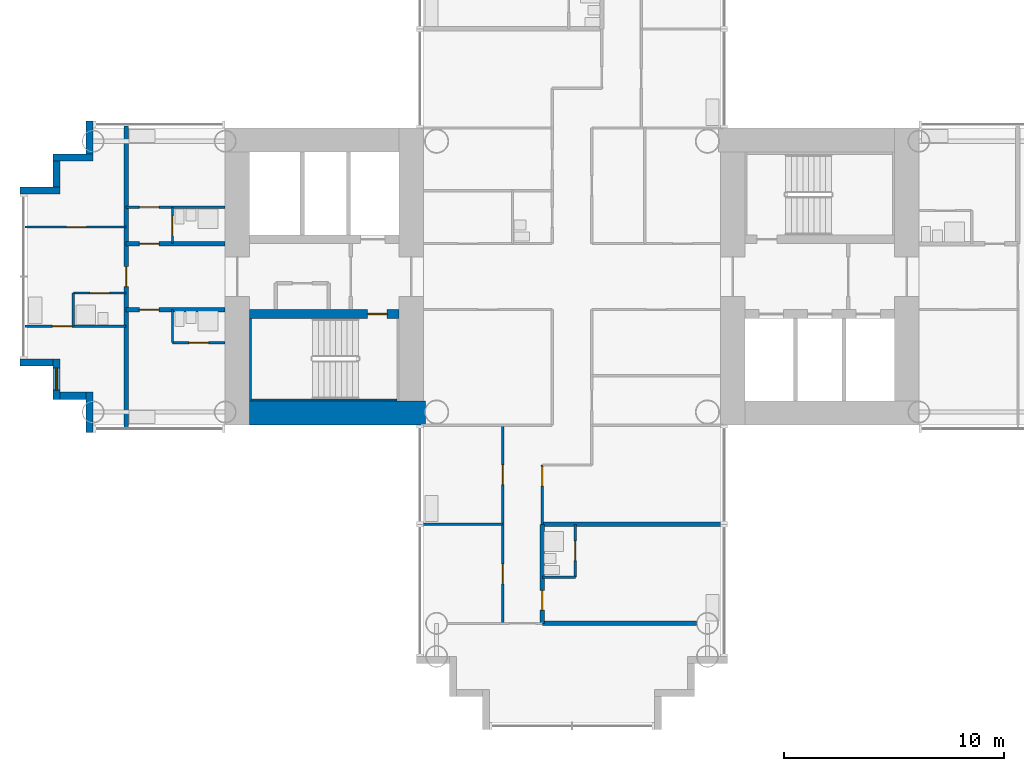
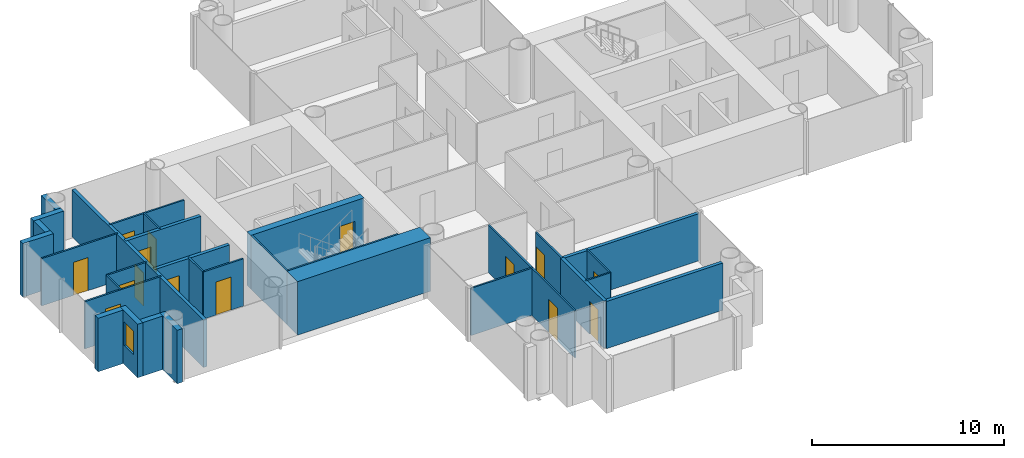
# One storey, part 9 of 22: 31 walls, 15 doors, 1 window, 16 openings.
"""IFC4 building model written with IfcOpenShell, lengths in metres."""

from ifc_helpers import new_model, si_unit, direction, frame, frame_2d, origin, place, context, subcontext, project, spatial, rectangle, extrude, material, layer, layer_set, type_object, element, fill, save


model = new_model("IFC4")

# Units and contexts
model_context = context("Model", 3, precision=1e-05, world=origin(), true_north=direction((0.0, 1.0)))
body_context = subcontext(model_context, "Body", "Model", "MODEL_VIEW")
ifc_project = project(units=[si_unit("LENGTHUNIT", "METRE"), si_unit("AREAUNIT", "SQUARE_METRE"), si_unit("VOLUMEUNIT", "CUBIC_METRE"), si_unit("PLANEANGLEUNIT", "RADIAN"), si_unit("MASSUNIT", "GRAM", prefix="KILO")], contexts=[model_context])

# Site, building, storey
site_placement = place(None, origin())
site = spatial("IfcSite", under=ifc_project, at=site_placement, CompositionType="ELEMENT")
building_placement = place(site_placement, origin())
building = spatial("IfcBuilding", under=site, at=building_placement, Name="Ipe Terrace Towers", CompositionType="ELEMENT")
storey_placement = place(building_placement, frame((0.0, 0.0, 55.10009765625)))
storey = spatial("IfcBuildingStorey", under=building, at=storey_placement, Name="L14", CompositionType="ELEMENT", Elevation=55.10009765625)

# Wall
ifc_material_1 = material(Name="Concrete C40/50 with buff precast cladding", Category="concrete")
ifc_layer_1 = layer(ifc_material_1, 0.320068359375)
ifc_layer_set_1 = layer_set([ifc_layer_1], Name="BUFF CLADDING WALL 320")
wall_type_1 = type_object("IfcWallType", Name="BUFF CLADDING WALL 320", PredefinedType="STANDARD", material=ifc_layer_set_1)
wall_1_placement = place(storey_placement, frame((-61.070068359375, -3.909912109375, -0.300048828125), z_axis=(0.0, 0.0, 1.0), x_axis=(1.0, 0.0, 0.0)))
element("IfcWall", 1, at=wall_1_placement, inside=storey, type_object=wall_type_1, Name="T1-W-L14-00a wall", PredefinedType="STANDARD", context=body_context, shape_type="SweptSolid", body=[
    extrude(rectangle(XDim=1.5, YDim=0.320068359375, at=frame_2d((0.75, 0.0))), origin(), (0.0, 0.0, 1.0), 3.39990234375),
])

# Wall, opening, window
wall_2_placement = place(storey_placement, frame((-59.409912109375, -3.75, -0.300048828125), z_axis=(0.0, 0.0, 1.0), x_axis=(0.0, -1.0, 0.0)))
wall_2 = element("IfcWall", 2, at=wall_2_placement, inside=storey, type_object=wall_type_1, Name="T1-W-L14-01a wall", PredefinedType="STANDARD", context=body_context, shape_type="SweptSolid", body=[
    extrude(rectangle(XDim=1.820068359375, YDim=0.320068359375, at=frame_2d((0.91015625, 0.0))), origin(), (0.0, 0.0, 1.0), 3.39990234375),
])
opening_1_placement = place(wall_2_placement, frame((0.409912109375, 0.0, 1.199951171875)))
opening_1 = element("IfcOpeningElement", 3, at=opening_1_placement, cuts=wall_2, Name="Opening T1-W-05-L14-01", PredefinedType="OPENING", context=body_context, shape_type="SweptSolid", body=[
    extrude(rectangle(XDim=1.0, YDim=1.5, at=frame_2d((0.5, 0.75))), frame((0.0, 0.169921875, 0.0), z_axis=(0.0, -1.0, 0.0), x_axis=(1.0, 0.0, 0.0)), (0.0, 0.0, 1.0), 0.340087890625),
])
ifc_material_2 = material(Name="Glass, clear laminated", Category="glass")
window_type = type_object("IfcWindowType", Name="DWELLING WINDOW 1000 x 1500", PartitioningType="SINGLE_PANEL", PredefinedType="WINDOW", material=ifc_material_2)
window_placement = place(opening_1_placement, origin())
window = element("IfcWindow", 4, at=window_placement, inside=storey, type_object=window_type, Name="W-05 window", OverallHeight=1.5, OverallWidth=1.0, PartitioningType="SINGLE_PANEL", PredefinedType="WINDOW", context=body_context, shape_type="SweptSolid", body=[
    extrude(rectangle(XDim=1.0, YDim=1.5, at=frame_2d((0.5, 0.75))), frame((0.0, 0.030029296875, 0.0), z_axis=(0.0, -1.0, 0.0), x_axis=(1.0, 0.0, 0.0)), (0.0, 0.0, 1.0), 0.06005859375),
])
fill(opening_1, window)

# Walls
wall_3_placement = place(storey_placement, frame((-59.25, -5.409912109375, -0.300048828125), z_axis=(0.0, 0.0, 1.0), x_axis=(1.0, 0.0, 0.0)))
element("IfcWall", 5, at=wall_3_placement, inside=storey, type_object=wall_type_1, Name="T1-W-L14-02a wall", PredefinedType="STANDARD", context=body_context, shape_type="SweptSolid", body=[
    extrude(rectangle(XDim=1.179931640625, YDim=0.320068359375, at=frame_2d((0.58984375, 0.0))), origin(), (0.0, 0.0, 1.0), 3.39990234375),
])
wall_4_placement = place(storey_placement, frame((-57.909912109375, -5.25, -0.300048828125), z_axis=(0.0, 0.0, 1.0), x_axis=(0.0, -1.0, 0.0)))
element("IfcWall", 6, at=wall_4_placement, inside=storey, type_object=wall_type_1, Name="T1-W-L14-03a wall", PredefinedType="STANDARD", context=body_context, shape_type="SweptSolid", body=[
    extrude(rectangle(XDim=1.820068359375, YDim=0.320068359375, at=frame_2d((0.91015625, 0.0))), origin(), (0.0, 0.0, 1.0), 3.39990234375),
])
wall_5_placement = place(storey_placement, frame((-57.909912109375, 7.070068359375, -0.300048828125), z_axis=(0.0, 0.0, 1.0), x_axis=(0.0, -1.0, 0.0)))
element("IfcWall", 7, at=wall_5_placement, inside=storey, type_object=wall_type_1, Name="T1-W-L14-47a wall", PredefinedType="STANDARD", context=body_context, shape_type="SweptSolid", body=[
    extrude(rectangle(XDim=1.5, YDim=0.320068359375, at=frame_2d((0.75, 0.0))), origin(), (0.0, 0.0, 1.0), 3.39990234375),
])
wall_6_placement = place(storey_placement, frame((-57.75, 5.409912109375, -0.300048828125), z_axis=(0.0, 0.0, 1.0), x_axis=(-1.0, 0.0, 0.0)))
element("IfcWall", 8, at=wall_6_placement, inside=storey, type_object=wall_type_1, Name="T1-W-L14-48a wall", PredefinedType="STANDARD", context=body_context, shape_type="SweptSolid", body=[
    extrude(rectangle(XDim=1.820068359375, YDim=0.320068359375, at=frame_2d((0.91015625, 0.0))), origin(), (0.0, 0.0, 1.0), 3.39990234375),
])
wall_7_placement = place(storey_placement, frame((-59.409912109375, 5.25, -0.300048828125), z_axis=(0.0, 0.0, 1.0), x_axis=(0.0, -1.0, 0.0)))
element("IfcWall", 9, at=wall_7_placement, inside=storey, type_object=wall_type_1, Name="T1-W-L14-49a wall", PredefinedType="STANDARD", context=body_context, shape_type="SweptSolid", body=[
    extrude(rectangle(XDim=1.179931640625, YDim=0.320068359375, at=frame_2d((0.58984375, 0.0))), origin(), (0.0, 0.0, 1.0), 3.39990234375),
])
wall_8_placement = place(storey_placement, frame((-59.25, 3.909912109375, -0.300048828125), z_axis=(0.0, 0.0, 1.0), x_axis=(-1.0, 0.0, 0.0)))
element("IfcWall", 10, at=wall_8_placement, inside=storey, type_object=wall_type_1, Name="T1-W-L14-50a wall", PredefinedType="STANDARD", context=body_context, shape_type="SweptSolid", body=[
    extrude(rectangle(XDim=1.820068359375, YDim=0.320068359375, at=frame_2d((0.91015625, 0.0))), origin(), (0.0, 0.0, 1.0), 3.39990234375),
])
ifc_material_3 = material(Name="Gypsum board partition", Category="plasterboard")
ifc_layer_2 = layer(ifc_material_3, 0.10009765625)
ifc_layer_set_2 = layer_set([ifc_layer_2], Name="Gypsum board partition 100 mm")
wall_type_2 = type_object("IfcWallType", Name="Gypsum board partition 100 mm", PredefinedType="PARTITIONING", material=ifc_layer_set_2)
for number, where, z_axis, x_axis, name in (
    (11, (-58.64990234375, -2.25, 0.0), (0.0, 0.0, 1.0), (0.0, 1.0, 0.0), "Gypsum board partition T1 L14 W01"),
    (12, (-54.14990234375, -3.0, 0.0), (0.0, 0.0, 1.0), (0.0, 1.0, 0.0), "Gypsum board partition T1 L14 W03"),
):
    element("IfcWall", number, at=place(storey_placement, frame(where, z_axis=z_axis, x_axis=x_axis)), inside=storey, type_object=wall_type_2, Name=name, PredefinedType="PARTITIONING", context=body_context, shape_type="SweptSolid", body=[
        extrude(rectangle(XDim=1.5, YDim=0.10009765625, at=frame_2d((0.75, 0.0))), origin(), (0.0, 0.0, 1.0), 3.0),
    ])

# Wall, opening, door
wall_9_placement = place(storey_placement, frame((-54.14990234375, 1.5, 0.0), z_axis=(0.0, 0.0, 1.0), x_axis=(0.0, 1.0, 0.0)))
wall_9 = element("IfcWall", 13, at=wall_9_placement, inside=storey, type_object=wall_type_2, Name="Gypsum board partition T1 L14 W04", PredefinedType="PARTITIONING", context=body_context, shape_type="SweptSolid", body=[
    extrude(rectangle(XDim=1.64990234375, YDim=0.10009765625, at=frame_2d((0.824951171875, 0.0))), origin(), (0.0, 0.0, 1.0), 3.0),
])
opening_2_placement = place(wall_9_placement, frame((0.35009765625, 0.0, 0.0)))
opening_2 = element("IfcOpeningElement", 14, at=opening_2_placement, cuts=wall_9, Name="Opening T1-Z1D-29", PredefinedType="OPENING", context=body_context, shape_type="SweptSolid", body=[
    extrude(rectangle(XDim=0.89990234375, YDim=2.10009765625, at=frame_2d((0.449951171875, 1.050048828125))), frame((0.0, 0.06005859375, 0.0), z_axis=(0.0, -1.0, 0.0), x_axis=(1.0, 0.0, 0.0)), (0.0, 0.0, 1.0), 0.1201171875),
])
ifc_material_4 = material(Name="Timber door leaf", Category="wood")
door_type_1 = type_object("IfcDoorType", Name="Bathroom door 900 x 2100", OperationType="NOTDEFINED", PredefinedType="DOOR", material=ifc_material_4)
door_1_placement = place(opening_2_placement, origin())
door_1 = element("IfcDoor", 15, at=door_1_placement, inside=storey, type_object=door_type_1, Name="Bathroom door T1-Z1D-29", OperationType="SINGLE_SWING_LEFT", OverallHeight=2.10009765625, OverallWidth=0.89990234375, PredefinedType="DOOR", context=body_context, shape_type="SweptSolid", body=[
    extrude(rectangle(XDim=0.89990234375, YDim=2.10009765625, at=frame_2d((0.449951171875, 1.050048828125))), frame((0.0, 0.02490234375, 0.0), z_axis=(0.0, -1.0, 0.0), x_axis=(1.0, 0.0, 0.0)), (0.0, 0.0, 1.0), 0.050048828125),
])
fill(opening_2, door_1)

# Wall, openings, doors
wall_10_placement = place(storey_placement, frame((-39.14990234375, -15.75, 0.0), z_axis=(0.0, 0.0, 1.0), x_axis=(0.0, 1.0, 0.0)))
wall_10 = element("IfcWall", 16, at=wall_10_placement, inside=storey, type_object=wall_type_2, Name="Gypsum board partition T1 L14 W05", PredefinedType="PARTITIONING", context=body_context, shape_type="SweptSolid", body=[
    extrude(rectangle(XDim=9.0, YDim=0.10009765625, at=frame_2d((4.5, 0.0))), origin(), (0.0, 0.0, 1.0), 3.0),
])
opening_3_placement = place(wall_10_placement, frame((6.300048828125, 0.0, 0.0)))
opening_3 = element("IfcOpeningElement", 17, at=opening_3_placement, cuts=wall_10, Name="Opening T1-Z1D-18", PredefinedType="OPENING", context=body_context, shape_type="SweptSolid", body=[
    extrude(rectangle(XDim=0.89990234375, YDim=2.10009765625, at=frame_2d((0.449951171875, 1.050048828125))), frame((0.0, 0.06005859375, 0.0), z_axis=(0.0, -1.0, 0.0), x_axis=(1.0, 0.0, 0.0)), (0.0, 0.0, 1.0), 0.1201171875),
])
opening_4_placement = place(wall_10_placement, frame((1.800048828125, 0.0, 0.0)))
opening_4 = element("IfcOpeningElement", 18, at=opening_4_placement, cuts=wall_10, Name="Opening T1-Z1D-19", PredefinedType="OPENING", context=body_context, shape_type="SweptSolid", body=[
    extrude(rectangle(XDim=0.89990234375, YDim=2.10009765625, at=frame_2d((0.449951171875, 1.050048828125))), frame((0.0, 0.06005859375, 0.0), z_axis=(0.0, -1.0, 0.0), x_axis=(1.0, 0.0, 0.0)), (0.0, 0.0, 1.0), 0.1201171875),
])
ifc_material_5 = material(Name="Timber door leaf", Category="wood")
door_type_2 = type_object("IfcDoorType", Name="Lounge door 900 x 2100", OperationType="NOTDEFINED", PredefinedType="DOOR", material=ifc_material_5)
door_2_placement = place(opening_3_placement, origin())
door_2 = element("IfcDoor", 19, at=door_2_placement, inside=storey, type_object=door_type_2, Name="Lounge door T1-Z1D-18", OperationType="SINGLE_SWING_LEFT", OverallHeight=2.10009765625, OverallWidth=0.89990234375, PredefinedType="DOOR", context=body_context, shape_type="SweptSolid", body=[
    extrude(rectangle(XDim=0.89990234375, YDim=2.10009765625, at=frame_2d((0.449951171875, 1.050048828125))), frame((0.0, 0.02490234375, 0.0), z_axis=(0.0, -1.0, 0.0), x_axis=(1.0, 0.0, 0.0)), (0.0, 0.0, 1.0), 0.050048828125),
])
fill(opening_3, door_2)
door_3_placement = place(opening_4_placement, origin())
door_3 = element("IfcDoor", 20, at=door_3_placement, inside=storey, type_object=door_type_2, Name="Lounge door T1-Z1D-19", OperationType="SINGLE_SWING_RIGHT", OverallHeight=2.10009765625, OverallWidth=0.89990234375, PredefinedType="DOOR", context=body_context, shape_type="SweptSolid", body=[
    extrude(rectangle(XDim=0.89990234375, YDim=2.10009765625, at=frame_2d((0.449951171875, 1.050048828125))), frame((0.0, 0.02490234375, 0.0), z_axis=(0.0, -1.0, 0.0), x_axis=(1.0, 0.0, 0.0)), (0.0, 0.0, 1.0), 0.050048828125),
])
fill(opening_4, door_3)

# Wall, opening, door
wall_11_placement = place(storey_placement, frame((-37.35009765625, -11.25, 0.0), z_axis=(0.0, 0.0, 1.0), x_axis=(0.0, 1.0, 0.0)))
wall_11 = element("IfcWall", 21, at=wall_11_placement, inside=storey, type_object=wall_type_2, Name="Gypsum board partition T1 L14 W07", PredefinedType="PARTITIONING", context=body_context, shape_type="SweptSolid", body=[
    extrude(rectangle(XDim=2.699951171875, YDim=0.10009765625, at=frame_2d((1.35009765625, 0.0))), origin(), (0.0, 0.0, 1.0), 3.0),
])
opening_5_placement = place(wall_11_placement, frame((1.72998046875, 0.0, 0.0)))
opening_5 = element("IfcOpeningElement", 22, at=opening_5_placement, cuts=wall_11, Name="Opening T1-Z1D-15", PredefinedType="OPENING", context=body_context, shape_type="SweptSolid", body=[
    extrude(rectangle(XDim=0.89990234375, YDim=2.10009765625, at=frame_2d((0.449951171875, 1.050048828125))), frame((0.0, 0.06005859375, 0.0), z_axis=(0.0, -1.0, 0.0), x_axis=(1.0, 0.0, 0.0)), (0.0, 0.0, 1.0), 0.1201171875),
])
door_4_placement = place(opening_5_placement, origin())
door_4 = element("IfcDoor", 23, at=door_4_placement, inside=storey, type_object=door_type_2, Name="Lounge door T1-Z1D-15", OperationType="SINGLE_SWING_RIGHT", OverallHeight=2.10009765625, OverallWidth=0.89990234375, PredefinedType="DOOR", context=body_context, shape_type="SweptSolid", body=[
    extrude(rectangle(XDim=0.89990234375, YDim=2.10009765625, at=frame_2d((0.449951171875, 1.050048828125))), frame((0.0, 0.02490234375, 0.0), z_axis=(0.0, -1.0, 0.0), x_axis=(1.0, 0.0, 0.0)), (0.0, 0.0, 1.0), 0.050048828125),
])
fill(opening_5, door_4)

wall_12_placement = place(storey_placement, frame((-35.85009765625, -13.64990234375, 0.0), z_axis=(0.0, 0.0, 1.0), x_axis=(0.0, 1.0, 0.0)))
wall_12 = element("IfcWall", 24, at=wall_12_placement, inside=storey, type_object=wall_type_2, Name="Gypsum board partition T1 L14 W12", PredefinedType="PARTITIONING", context=body_context, shape_type="SweptSolid", body=[
    extrude(rectangle(XDim=2.39990234375, YDim=0.10009765625, at=frame_2d((1.199951171875, 0.0))), origin(), (0.0, 0.0, 1.0), 3.0),
])
opening_6_placement = place(wall_12_placement, frame((0.75, 0.0, 0.0)))
opening_6 = element("IfcOpeningElement", 25, at=opening_6_placement, cuts=wall_12, Name="Opening T1-Z1D-17", PredefinedType="OPENING", context=body_context, shape_type="SweptSolid", body=[
    extrude(rectangle(XDim=0.89990234375, YDim=2.10009765625, at=frame_2d((0.449951171875, 1.050048828125))), frame((0.0, 0.06005859375, 0.0), z_axis=(0.0, -1.0, 0.0), x_axis=(1.0, 0.0, 0.0)), (0.0, 0.0, 1.0), 0.1201171875),
])
door_5_placement = place(opening_6_placement, origin())
door_5 = element("IfcDoor", 26, at=door_5_placement, inside=storey, type_object=door_type_1, Name="Bathroom door T1-Z1D-17", OperationType="SINGLE_SWING_LEFT", OverallHeight=2.10009765625, OverallWidth=0.89990234375, PredefinedType="DOOR", context=body_context, shape_type="SweptSolid", body=[
    extrude(rectangle(XDim=0.89990234375, YDim=2.10009765625, at=frame_2d((0.449951171875, 1.050048828125))), frame((0.0, 0.02490234375, 0.0), z_axis=(0.0, -1.0, 0.0), x_axis=(1.0, 0.0, 0.0)), (0.0, 0.0, 1.0), 0.050048828125),
])
fill(opening_6, door_5)

# Walls
wall_13_placement = place(storey_placement, frame((-37.35009765625, -13.64990234375, 0.0), z_axis=(0.0, 0.0, 1.0), x_axis=(1.0, 0.0, 0.0)))
element("IfcWall", 27, at=wall_13_placement, inside=storey, type_object=wall_type_2, Name="Gypsum board partition T1 L14 W24", PredefinedType="PARTITIONING", context=body_context, shape_type="SweptSolid", body=[
    extrude(rectangle(XDim=1.5, YDim=0.10009765625, at=frame_2d((0.75, 0.0))), origin(), (0.0, 0.0, 1.0), 3.0),
])
wall_14_placement = place(storey_placement, frame((-42.85009765625, -11.25, 0.0), z_axis=(0.0, 0.0, 1.0), x_axis=(1.0, 0.0, 0.0)))
element("IfcWall", 28, at=wall_14_placement, inside=storey, type_object=wall_type_2, Name="Gypsum board partition T1 L14 W25", PredefinedType="PARTITIONING", context=body_context, shape_type="SweptSolid", body=[
    extrude(rectangle(XDim=3.7001953125, YDim=0.10009765625, at=frame_2d((1.85009765625, 0.0))), origin(), (0.0, 0.0, 1.0), 3.0),
])

# Wall, opening, door
wall_15_placement = place(storey_placement, frame((-54.14990234375, -3.0, 0.0), z_axis=(0.0, 0.0, 1.0), x_axis=(1.0, 0.0, 0.0)))
wall_15 = element("IfcWall", 29, at=wall_15_placement, inside=storey, type_object=wall_type_2, Name="Gypsum board partition T1 L14 W31", PredefinedType="PARTITIONING", context=body_context, shape_type="SweptSolid", body=[
    extrude(rectangle(XDim=2.39990234375, YDim=0.10009765625, at=frame_2d((1.199951171875, 0.0))), origin(), (0.0, 0.0, 1.0), 3.0),
])
opening_7_placement = place(wall_15_placement, frame((0.75, 0.0, 0.0)))
opening_7 = element("IfcOpeningElement", 30, at=opening_7_placement, cuts=wall_15, Name="Opening T1-Z1D-26", PredefinedType="OPENING", context=body_context, shape_type="SweptSolid", body=[
    extrude(rectangle(XDim=0.89990234375, YDim=2.10009765625, at=frame_2d((0.449951171875, 1.050048828125))), frame((0.0, 0.06005859375, 0.0), z_axis=(0.0, -1.0, 0.0), x_axis=(1.0, 0.0, 0.0)), (0.0, 0.0, 1.0), 0.1201171875),
])
door_6_placement = place(opening_7_placement, origin())
door_6 = element("IfcDoor", 31, at=door_6_placement, inside=storey, type_object=door_type_1, Name="Bathroom door T1-Z1D-26", OperationType="SINGLE_SWING_LEFT", OverallHeight=2.10009765625, OverallWidth=0.89990234375, PredefinedType="DOOR", context=body_context, shape_type="SweptSolid", body=[
    extrude(rectangle(XDim=0.89990234375, YDim=2.10009765625, at=frame_2d((0.449951171875, 1.050048828125))), frame((0.0, 0.02490234375, 0.0), z_axis=(0.0, -1.0, 0.0), x_axis=(1.0, 0.0, 0.0)), (0.0, 0.0, 1.0), 0.050048828125),
])
fill(opening_7, door_6)

wall_16_placement = place(storey_placement, frame((-60.85009765625, -2.25, 0.0), z_axis=(0.0, 0.0, 1.0), x_axis=(1.0, 0.0, 0.0)))
wall_16 = element("IfcWall", 32, at=wall_16_placement, inside=storey, type_object=wall_type_2, Name="Gypsum board partition T1 L14 W32", PredefinedType="PARTITIONING", context=body_context, shape_type="SweptSolid", body=[
    extrude(rectangle(XDim=4.60009765625, YDim=0.10009765625, at=frame_2d((2.300048828125, 0.0))), origin(), (0.0, 0.0, 1.0), 3.0),
])
opening_8_placement = place(wall_16_placement, frame((1.25, 0.0, 0.0)))
opening_8 = element("IfcOpeningElement", 33, at=opening_8_placement, cuts=wall_16, Name="Opening T1-Z1D-32", PredefinedType="OPENING", context=body_context, shape_type="SweptSolid", body=[
    extrude(rectangle(XDim=0.89990234375, YDim=2.10009765625, at=frame_2d((0.449951171875, 1.050048828125))), frame((0.0, 0.06005859375, 0.0), z_axis=(0.0, -1.0, 0.0), x_axis=(1.0, 0.0, 0.0)), (0.0, 0.0, 1.0), 0.1201171875),
])
ifc_material_6 = material(Name="Timber door leaf", Category="wood")
door_type_3 = type_object("IfcDoorType", Name="Bedroom door 900 x 2100", OperationType="NOTDEFINED", PredefinedType="DOOR", material=ifc_material_6)
door_7_placement = place(opening_8_placement, origin())
door_7 = element("IfcDoor", 34, at=door_7_placement, inside=storey, type_object=door_type_3, Name="Bedroom door T1-Z1D-32", OperationType="SINGLE_SWING_LEFT", OverallHeight=2.10009765625, OverallWidth=0.89990234375, PredefinedType="DOOR", context=body_context, shape_type="SweptSolid", body=[
    extrude(rectangle(XDim=0.89990234375, YDim=2.10009765625, at=frame_2d((0.449951171875, 1.050048828125))), frame((0.0, 0.02490234375, 0.0), z_axis=(0.0, -1.0, 0.0), x_axis=(1.0, 0.0, 0.0)), (0.0, 0.0, 1.0), 0.050048828125),
])
fill(opening_8, door_7)

wall_17_placement = place(storey_placement, frame((-58.64990234375, -0.75, 0.0), z_axis=(0.0, 0.0, 1.0), x_axis=(1.0, 0.0, 0.0)))
wall_17 = element("IfcWall", 35, at=wall_17_placement, inside=storey, type_object=wall_type_2, Name="Gypsum board partition T1 L14 W37", PredefinedType="PARTITIONING", context=body_context, shape_type="SweptSolid", body=[
    extrude(rectangle(XDim=2.39990234375, YDim=0.10009765625, at=frame_2d((1.199951171875, 0.0))), origin(), (0.0, 0.0, 1.0), 3.0),
])
opening_9_placement = place(wall_17_placement, frame((0.75, 0.0, 0.0)))
opening_9 = element("IfcOpeningElement", 36, at=opening_9_placement, cuts=wall_17, Name="Opening T1-Z1D-30", PredefinedType="OPENING", context=body_context, shape_type="SweptSolid", body=[
    extrude(rectangle(XDim=0.89990234375, YDim=2.10009765625, at=frame_2d((0.449951171875, 1.050048828125))), frame((0.0, 0.06005859375, 0.0), z_axis=(0.0, -1.0, 0.0), x_axis=(1.0, 0.0, 0.0)), (0.0, 0.0, 1.0), 0.1201171875),
])
door_8_placement = place(opening_9_placement, origin())
door_8 = element("IfcDoor", 37, at=door_8_placement, inside=storey, type_object=door_type_1, Name="Bathroom door T1-Z1D-30", OperationType="SINGLE_SWING_RIGHT", OverallHeight=2.10009765625, OverallWidth=0.89990234375, PredefinedType="DOOR", context=body_context, shape_type="SweptSolid", body=[
    extrude(rectangle(XDim=0.89990234375, YDim=2.10009765625, at=frame_2d((0.449951171875, 1.050048828125))), frame((0.0, 0.02490234375, 0.0), z_axis=(0.0, -1.0, 0.0), x_axis=(1.0, 0.0, 0.0)), (0.0, 0.0, 1.0), 0.050048828125),
])
fill(opening_9, door_8)

wall_18_placement = place(storey_placement, frame((-60.85009765625, 2.25, 0.0), z_axis=(0.0, 0.0, 1.0), x_axis=(1.0, 0.0, 0.0)))
wall_18 = element("IfcWall", 38, at=wall_18_placement, inside=storey, type_object=wall_type_2, Name="Gypsum board partition T1 L14 W42", PredefinedType="PARTITIONING", context=body_context, shape_type="SweptSolid", body=[
    extrude(rectangle(XDim=4.60009765625, YDim=0.10009765625, at=frame_2d((2.300048828125, 0.0))), origin(), (0.0, 0.0, 1.0), 3.0),
])
opening_10_placement = place(wall_18_placement, frame((1.89990234375, 0.0, 0.0)))
opening_10 = element("IfcOpeningElement", 39, at=opening_10_placement, cuts=wall_18, Name="Opening T1-Z1D-33", PredefinedType="OPENING", context=body_context, shape_type="SweptSolid", body=[
    extrude(rectangle(XDim=0.89990234375, YDim=2.10009765625, at=frame_2d((0.449951171875, 1.050048828125))), frame((0.0, 0.06005859375, 0.0), z_axis=(0.0, -1.0, 0.0), x_axis=(1.0, 0.0, 0.0)), (0.0, 0.0, 1.0), 0.1201171875),
])
door_9_placement = place(opening_10_placement, origin())
door_9 = element("IfcDoor", 40, at=door_9_placement, inside=storey, type_object=door_type_2, Name="Lounge door T1-Z1D-33", OperationType="SINGLE_SWING_LEFT", OverallHeight=2.10009765625, OverallWidth=0.89990234375, PredefinedType="DOOR", context=body_context, shape_type="SweptSolid", body=[
    extrude(rectangle(XDim=0.89990234375, YDim=2.10009765625, at=frame_2d((0.449951171875, 1.050048828125))), frame((0.0, 0.02490234375, 0.0), z_axis=(0.0, -1.0, 0.0), x_axis=(1.0, 0.0, 0.0)), (0.0, 0.0, 1.0), 0.050048828125),
])
fill(opening_10, door_9)

wall_19_placement = place(storey_placement, frame((-56.25, 3.14990234375, 0.0), z_axis=(0.0, 0.0, 1.0), x_axis=(1.0, 0.0, 0.0)))
wall_19 = element("IfcWall", 41, at=wall_19_placement, inside=storey, type_object=wall_type_2, Name="Gypsum board partition T1 L14 W44", PredefinedType="PARTITIONING", context=body_context, shape_type="SweptSolid", body=[
    extrude(rectangle(XDim=4.5, YDim=0.10009765625, at=frame_2d((2.25, 0.0))), origin(), (0.0, 0.0, 1.0), 3.0),
])
opening_11_placement = place(wall_19_placement, frame((0.60009765625, 0.0, 0.0)))
opening_11 = element("IfcOpeningElement", 42, at=opening_11_placement, cuts=wall_19, Name="Opening T1-Z1D-28", PredefinedType="OPENING", context=body_context, shape_type="SweptSolid", body=[
    extrude(rectangle(XDim=0.89990234375, YDim=2.10009765625, at=frame_2d((0.449951171875, 1.050048828125))), frame((0.0, 0.06005859375, 0.0), z_axis=(0.0, -1.0, 0.0), x_axis=(1.0, 0.0, 0.0)), (0.0, 0.0, 1.0), 0.1201171875),
])
door_10_placement = place(opening_11_placement, origin())
door_10 = element("IfcDoor", 43, at=door_10_placement, inside=storey, type_object=door_type_3, Name="Bedroom door T1-Z1D-28", OperationType="SINGLE_SWING_RIGHT", OverallHeight=2.10009765625, OverallWidth=0.89990234375, PredefinedType="DOOR", context=body_context, shape_type="SweptSolid", body=[
    extrude(rectangle(XDim=0.89990234375, YDim=2.10009765625, at=frame_2d((0.449951171875, 1.050048828125))), frame((0.0, 0.02490234375, 0.0), z_axis=(0.0, -1.0, 0.0), x_axis=(1.0, 0.0, 0.0)), (0.0, 0.0, 1.0), 0.050048828125),
])
fill(opening_11, door_10)

ifc_material_7 = material(Name="Gypsum board party wall", Category="plasterboard")
ifc_layer_3 = layer(ifc_material_7, 0.199951171875)
ifc_layer_set_3 = layer_set([ifc_layer_3], Name="Gypsum board party wall 200 mm")
wall_type_3 = type_object("IfcWallType", Name="Gypsum board party wall 200 mm", PredefinedType="SOLIDWALL", material=ifc_layer_set_3)
wall_20_placement = place(storey_placement, frame((-56.25, -6.85009765625, 0.0), z_axis=(0.0, 0.0, 1.0), x_axis=(0.0, 1.0, 0.0)))
wall_20 = element("IfcWall", 44, at=wall_20_placement, inside=storey, type_object=wall_type_3, Name="Gypsum board party wall T1 L14 W02", PredefinedType="SOLIDWALL", context=body_context, shape_type="SweptSolid", body=[
    extrude(rectangle(XDim=13.7001953125, YDim=0.199951171875, at=frame_2d((6.85009765625, 0.0))), origin(), (0.0, 0.0, 1.0), 3.0),
])
opening_12_placement = place(wall_20_placement, frame((6.39990234375, 0.0, 0.0)))
opening_12 = element("IfcOpeningElement", 45, at=opening_12_placement, cuts=wall_20, Name="Opening T1-Z1D-31", PredefinedType="OPENING", context=body_context, shape_type="SweptSolid", body=[
    extrude(rectangle(XDim=0.89990234375, YDim=2.10009765625, at=frame_2d((0.449951171875, 1.050048828125))), frame((0.0, 0.10986328125, 0.0), z_axis=(0.0, -1.0, 0.0), x_axis=(1.0, 0.0, 0.0)), (0.0, 0.0, 1.0), 0.219970703125),
])
ifc_material_8 = material(Name="Fire-rated timber door leaf", Category="wood")
door_type_4 = type_object("IfcDoorType", Name="Flat entrance door 900 x 2100 FD30S", OperationType="NOTDEFINED", PredefinedType="DOOR", material=ifc_material_8)
door_11_placement = place(opening_12_placement, origin())
door_11 = element("IfcDoor", 46, at=door_11_placement, inside=storey, type_object=door_type_4, Name="Flat entrance door T1-Z1D-31", OperationType="SINGLE_SWING_LEFT", OverallHeight=2.10009765625, OverallWidth=0.89990234375, PredefinedType="DOOR", context=body_context, shape_type="SweptSolid", body=[
    extrude(rectangle(XDim=0.89990234375, YDim=2.10009765625, at=frame_2d((0.449951171875, 1.050048828125))), frame((0.0, 0.02490234375, 0.0), z_axis=(0.0, -1.0, 0.0), x_axis=(1.0, 0.0, 0.0)), (0.0, 0.0, 1.0), 0.050048828125),
])
fill(opening_12, door_11)

wall_21_placement = place(storey_placement, frame((-37.35009765625, -15.75, 0.0), z_axis=(0.0, 0.0, 1.0), x_axis=(0.0, 1.0, 0.0)))
wall_21 = element("IfcWall", 47, at=wall_21_placement, inside=storey, type_object=wall_type_3, Name="Gypsum board party wall T1 L14 W08", PredefinedType="SOLIDWALL", context=body_context, shape_type="SweptSolid", body=[
    extrude(rectangle(XDim=4.5, YDim=0.199951171875, at=frame_2d((2.25, 0.0))), origin(), (0.0, 0.0, 1.0), 3.0),
])
opening_13_placement = place(wall_21_placement, frame((0.60009765625, 0.0, 0.0)))
opening_13 = element("IfcOpeningElement", 48, at=opening_13_placement, cuts=wall_21, Name="Opening T1-Z1D-16", PredefinedType="OPENING", context=body_context, shape_type="SweptSolid", body=[
    extrude(rectangle(XDim=0.89990234375, YDim=2.10009765625, at=frame_2d((0.449951171875, 1.050048828125))), frame((0.0, 0.10986328125, 0.0), z_axis=(0.0, -1.0, 0.0), x_axis=(1.0, 0.0, 0.0)), (0.0, 0.0, 1.0), 0.219970703125),
])
door_12_placement = place(opening_13_placement, origin())
door_12 = element("IfcDoor", 49, at=door_12_placement, inside=storey, type_object=door_type_4, Name="Flat entrance door T1-Z1D-16", OperationType="SINGLE_SWING_LEFT", OverallHeight=2.10009765625, OverallWidth=0.89990234375, PredefinedType="DOOR", context=body_context, shape_type="SweptSolid", body=[
    extrude(rectangle(XDim=0.89990234375, YDim=2.10009765625, at=frame_2d((0.449951171875, 1.050048828125))), frame((0.0, 0.02490234375, 0.0), z_axis=(0.0, -1.0, 0.0), x_axis=(1.0, 0.0, 0.0)), (0.0, 0.0, 1.0), 0.050048828125),
])
fill(opening_13, door_12)

# Walls
wall_22_placement = place(storey_placement, frame((-37.35009765625, -15.75, 0.0), z_axis=(0.0, 0.0, 1.0), x_axis=(1.0, 0.0, 0.0)))
element("IfcWall", 50, at=wall_22_placement, inside=storey, type_object=wall_type_3, Name="Gypsum board party wall T1 L14 W23", PredefinedType="SOLIDWALL", context=body_context, shape_type="SweptSolid", body=[
    extrude(rectangle(XDim=7.0, YDim=0.199951171875, at=frame_2d((3.5, 0.0))), origin(), (0.0, 0.0, 1.0), 3.0),
])
wall_23_placement = place(storey_placement, frame((-37.35009765625, -11.25, 0.0), z_axis=(0.0, 0.0, 1.0), x_axis=(1.0, 0.0, 0.0)))
element("IfcWall", 51, at=wall_23_placement, inside=storey, type_object=wall_type_3, Name="Gypsum board party wall T1 L14 W26", PredefinedType="SOLIDWALL", context=body_context, shape_type="SweptSolid", body=[
    extrude(rectangle(XDim=8.2001953125, YDim=0.199951171875, at=frame_2d((4.10009765625, 0.0))), origin(), (0.0, 0.0, 1.0), 3.0),
])

# Wall, opening, door
wall_24_placement = place(storey_placement, frame((-56.25, -1.5, 0.0), z_axis=(0.0, 0.0, 1.0), x_axis=(1.0, 0.0, 0.0)))
wall_24 = element("IfcWall", 52, at=wall_24_placement, inside=storey, type_object=wall_type_3, Name="Gypsum board party wall T1 L14 W36", PredefinedType="SOLIDWALL", context=body_context, shape_type="SweptSolid", body=[
    extrude(rectangle(XDim=4.5, YDim=0.199951171875, at=frame_2d((2.25, 0.0))), origin(), (0.0, 0.0, 1.0), 3.0),
])
opening_14_placement = place(wall_24_placement, frame((0.60009765625, 0.0, 0.0)))
opening_14 = element("IfcOpeningElement", 53, at=opening_14_placement, cuts=wall_24, Name="Opening T1-Z1D-25", PredefinedType="OPENING", context=body_context, shape_type="SweptSolid", body=[
    extrude(rectangle(XDim=0.89990234375, YDim=2.10009765625, at=frame_2d((0.449951171875, 1.050048828125))), frame((0.0, 0.10986328125, 0.0), z_axis=(0.0, -1.0, 0.0), x_axis=(1.0, 0.0, 0.0)), (0.0, 0.0, 1.0), 0.219970703125),
])
door_13_placement = place(opening_14_placement, origin())
door_13 = element("IfcDoor", 54, at=door_13_placement, inside=storey, type_object=door_type_4, Name="Flat entrance door T1-Z1D-25", OperationType="SINGLE_SWING_LEFT", OverallHeight=2.10009765625, OverallWidth=0.89990234375, PredefinedType="DOOR", context=body_context, shape_type="SweptSolid", body=[
    extrude(rectangle(XDim=0.89990234375, YDim=2.10009765625, at=frame_2d((0.449951171875, 1.050048828125))), frame((0.0, 0.02490234375, 0.0), z_axis=(0.0, -1.0, 0.0), x_axis=(1.0, 0.0, 0.0)), (0.0, 0.0, 1.0), 0.050048828125),
])
fill(opening_14, door_13)

wall_25_placement = place(storey_placement, frame((-56.25, 1.5, 0.0), z_axis=(0.0, 0.0, 1.0), x_axis=(1.0, 0.0, 0.0)))
wall_25 = element("IfcWall", 55, at=wall_25_placement, inside=storey, type_object=wall_type_3, Name="Gypsum board party wall T1 L14 W40", PredefinedType="SOLIDWALL", context=body_context, shape_type="SweptSolid", body=[
    extrude(rectangle(XDim=4.5, YDim=0.199951171875, at=frame_2d((2.25, 0.0))), origin(), (0.0, 0.0, 1.0), 3.0),
])
opening_15_placement = place(wall_25_placement, frame((0.60009765625, 0.0, 0.0)))
opening_15 = element("IfcOpeningElement", 56, at=opening_15_placement, cuts=wall_25, Name="Opening T1-Z1D-27", PredefinedType="OPENING", context=body_context, shape_type="SweptSolid", body=[
    extrude(rectangle(XDim=0.89990234375, YDim=2.10009765625, at=frame_2d((0.449951171875, 1.050048828125))), frame((0.0, 0.10986328125, 0.0), z_axis=(0.0, -1.0, 0.0), x_axis=(1.0, 0.0, 0.0)), (0.0, 0.0, 1.0), 0.219970703125),
])
door_14_placement = place(opening_15_placement, origin())
door_14 = element("IfcDoor", 57, at=door_14_placement, inside=storey, type_object=door_type_4, Name="Flat entrance door T1-Z1D-27", OperationType="SINGLE_SWING_RIGHT", OverallHeight=2.10009765625, OverallWidth=0.89990234375, PredefinedType="DOOR", context=body_context, shape_type="SweptSolid", body=[
    extrude(rectangle(XDim=0.89990234375, YDim=2.10009765625, at=frame_2d((0.449951171875, 1.050048828125))), frame((0.0, 0.02490234375, 0.0), z_axis=(0.0, -1.0, 0.0), x_axis=(1.0, 0.0, 0.0)), (0.0, 0.0, 1.0), 0.050048828125),
])
fill(opening_15, door_14)

# Walls
ifc_material_9 = material(Name="Concrete C60/75", Category="concrete")
ifc_layer_4 = layer(ifc_material_9, 0.10009765625)
ifc_layer_set_4 = layer_set([ifc_layer_4], Name="RW100 CORE INFILL WALL 100 C60-75")
wall_type_4 = type_object("IfcWallType", Name="RW100 CORE INFILL WALL 100 C60-75", PredefinedType="SHEAR", material=ifc_layer_set_4)
wall_26_placement = place(storey_placement, frame((-50.60009765625, -1.89990234375, 0.0), z_axis=(0.0, 0.0, 1.0), x_axis=(0.0, -1.0, 0.0)))
element("IfcWall", 58, at=wall_26_placement, inside=storey, type_object=wall_type_4, Name="Core infill wall T1-C2-far", PredefinedType="SHEAR", context=body_context, shape_type="SweptSolid", body=[
    extrude(rectangle(XDim=3.75, YDim=0.10009765625, at=frame_2d((1.875, 0.0))), origin(), (0.0, 0.0, 1.0), 3.39990234375),
])
wall_27_placement = place(storey_placement, frame((-43.949951171875, -5.60009765625, 0.0), z_axis=(0.0, 0.0, 1.0), x_axis=(-1.0, 0.0, 0.0)))
element("IfcWall", 59, at=wall_27_placement, inside=storey, type_object=wall_type_4, Name="Core infill wall T1-C2-back", PredefinedType="SHEAR", context=body_context, shape_type="SweptSolid", body=[
    extrude(rectangle(XDim=6.60009765625, YDim=0.10009765625, at=frame_2d((3.300048828125, 0.0))), origin(), (0.0, 0.0, 1.0), 3.39990234375),
])
ifc_material_10 = material(Name="Concrete C60/75", Category="concrete")
ifc_layer_5 = layer(ifc_material_10, 1.10009765625)
ifc_layer_set_5 = layer_set([ifc_layer_5], Name="RW1100 CORE WALL 1100 C60-75")
wall_type_5 = type_object("IfcWallType", Name="RW1100 CORE WALL 1100 C60-75", PredefinedType="SHEAR", material=ifc_layer_set_5)
wall_28_placement = place(storey_placement, frame((-50.64990234375, -6.199951171875, 0.0), z_axis=(0.0, 0.0, 1.0), x_axis=(1.0, 0.0, 0.0)))
element("IfcWall", 60, at=wall_28_placement, inside=storey, type_object=wall_type_5, Name="Core wall T1-C2-Z1-W01", PredefinedType="SHEAR", context=body_context, shape_type="SweptSolid", body=[
    extrude(rectangle(XDim=7.997802734375, YDim=1.10009765625, at=frame_2d((3.9990234375, 0.0))), origin(), (0.0, 0.0, 1.0), 3.39990234375),
])

# Wall, opening, door
ifc_material_11 = material(Name="Concrete C60/75", Category="concrete")
ifc_layer_6 = layer(ifc_material_11, 0.39990234375)
ifc_layer_set_6 = layer_set([ifc_layer_6], Name="RW400 CORE SPINE WALL 400 C60-75")
wall_type_6 = type_object("IfcWallType", Name="RW400 CORE SPINE WALL 400 C60-75", PredefinedType="SHEAR", material=ifc_layer_set_6)
wall_29_placement = place(storey_placement, frame((-50.64990234375, -1.699951171875, 0.0), z_axis=(0.0, 0.0, 1.0), x_axis=(1.0, 0.0, 0.0)))
wall_29 = element("IfcWall", 61, at=wall_29_placement, inside=storey, type_object=wall_type_6, Name="Core spine wall T1-C2-Z1-SW1", PredefinedType="SHEAR", context=body_context, shape_type="SweptSolid", body=[
    extrude(rectangle(XDim=6.7998046875, YDim=0.39990234375, at=frame_2d((3.39990234375, 0.0))), origin(), (0.0, 0.0, 1.0), 3.39990234375),
])
opening_16_placement = place(wall_29_placement, frame((5.35009765625, 0.0, 0.0)))
opening_16 = element("IfcOpeningElement", 62, at=opening_16_placement, cuts=wall_29, Name="Opening T1C2-SD", PredefinedType="OPENING", context=body_context, shape_type="SweptSolid", body=[
    extrude(rectangle(XDim=0.89990234375, YDim=2.10009765625, at=frame_2d((0.449951171875, 1.050048828125))), frame((0.0, 0.2099609375, 0.0), z_axis=(0.0, -1.0, 0.0), x_axis=(1.0, 0.0, 0.0)), (0.0, 0.0, 1.0), 0.419921875),
])
ifc_material_12 = material(Name="Fire-rated timber door leaf", Category="wood")
door_type_5 = type_object("IfcDoorType", Name="Stair door 900 x 2100 FD60", OperationType="NOTDEFINED", PredefinedType="DOOR", material=ifc_material_12)
door_15_placement = place(opening_16_placement, origin())
door_15 = element("IfcDoor", 63, at=door_15_placement, inside=storey, type_object=door_type_5, Name="Stair door T1C2-SD", OperationType="SINGLE_SWING_RIGHT", OverallHeight=2.10009765625, OverallWidth=0.89990234375, PredefinedType="DOOR", context=body_context, shape_type="SweptSolid", body=[
    extrude(rectangle(XDim=0.89990234375, YDim=2.10009765625, at=frame_2d((0.449951171875, 1.050048828125))), frame((0.0, 0.02490234375, 0.0), z_axis=(0.0, -1.0, 0.0), x_axis=(1.0, 0.0, 0.0)), (0.0, 0.0, 1.0), 0.050048828125),
])
fill(opening_16, door_15)

save(model, "model.ifc")
